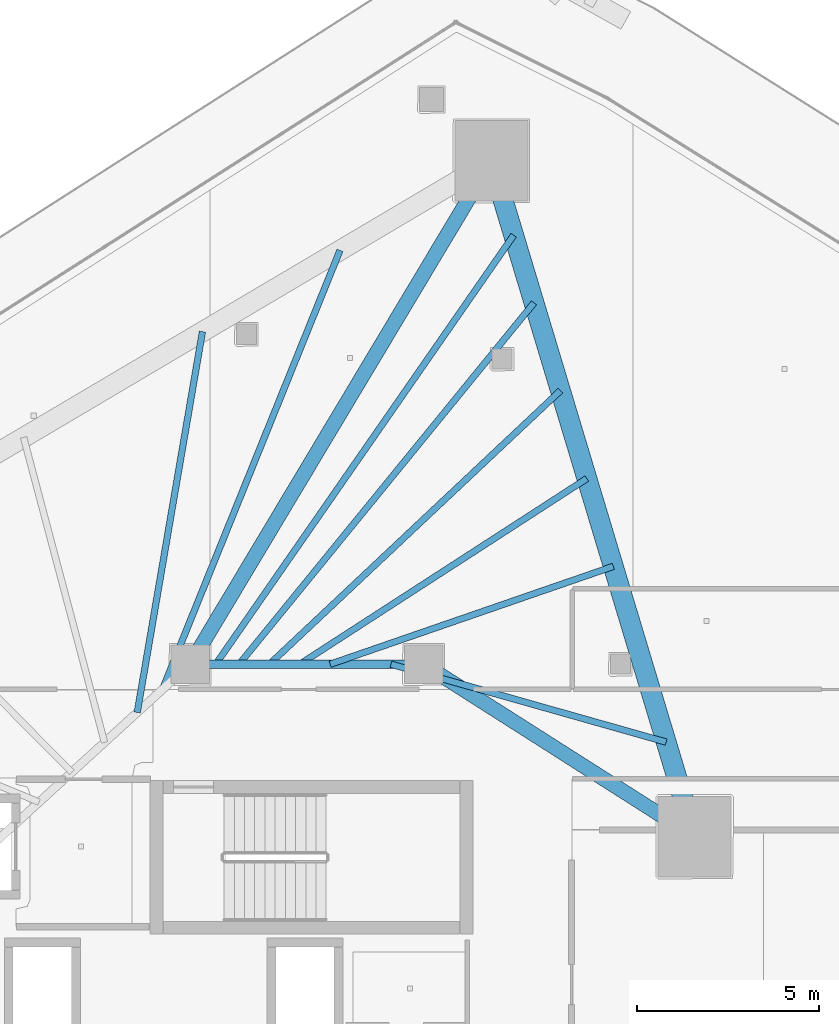
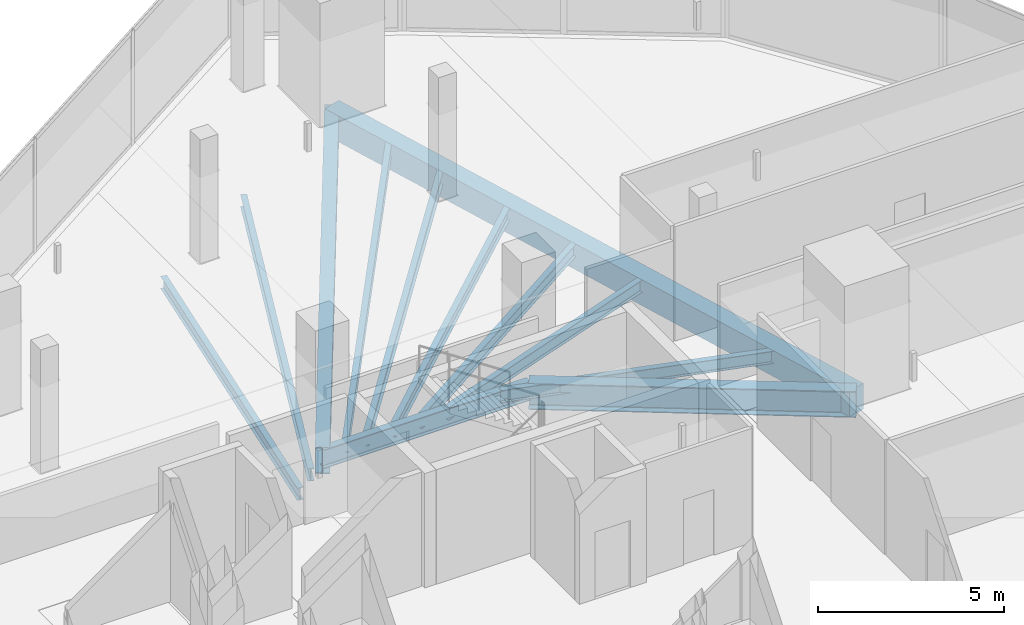
# One storey, part 18 of 36: 12 beams.
"""IFC4 building model written with IfcOpenShell, lengths in metres."""

from ifc_helpers import new_model, si_unit, direction, frame, origin, origin_2d, place, context, subcontext, project, spatial, rectangle, i_section, extrude, material, material_profile, profile_set, type_object, element, save


model = new_model("IFC4")

# Units and contexts
model_context = context("Model", 3, precision=1e-05, world=origin(), true_north=direction((0.0, 1.0)))
body_context = subcontext(model_context, "Body", "Model", "MODEL_VIEW")
ifc_project = project(units=[si_unit("LENGTHUNIT", "METRE"), si_unit("AREAUNIT", "SQUARE_METRE"), si_unit("VOLUMEUNIT", "CUBIC_METRE"), si_unit("PLANEANGLEUNIT", "RADIAN"), si_unit("MASSUNIT", "GRAM", prefix="KILO")], contexts=[model_context])

# Site, building, storey
site_placement = place(None, origin())
site = spatial("IfcSite", under=ifc_project, at=site_placement, CompositionType="ELEMENT")
building_placement = place(site_placement, origin())
building = spatial("IfcBuilding", under=site, at=building_placement, Name="Qorvath Tower", CompositionType="ELEMENT")
storey_placement = place(building_placement, frame((0.0, 0.0, 170.550048828125)))
storey = spatial("IfcBuildingStorey", under=building, at=storey_placement, Name="L39", CompositionType="ELEMENT", Elevation=170.550048828125)

# Beams
ifc_material_1 = material(Name="Steel ASTM A992 Grade 50", Category="steel")
ifc_material_profile_1 = material_profile(ifc_material_1, i_section(OverallWidth=0.39892578125, OverallDepth=0.85498046875, WebThickness=0.018310546875, FlangeThickness=0.029296875, FilletRadius=0.02001953125, at=origin_2d()), Name="W33x201")
ifc_profile_set_1 = profile_set([ifc_material_profile_1], Name="Steel ASTM A992 Grade 50")
beam_type_1 = type_object("IfcBeamType", Name="BM-FG2", PredefinedType="BEAM", material=ifc_profile_set_1)
beam_1_placement = place(storey_placement, frame((-23.60009765625, 11.449951171875, -0.697509765625), z_axis=(0.513497213955, 0.85809126045, 0.0), x_axis=(-0.85809126045, 0.513497213955, 0.0)))
element("IfcBeam", 1, at=beam_1_placement, inside=storey, type_object=beam_type_1, Name="Radial Floor Girder CC1-MC6 L39", PredefinedType="BEAM", context=body_context, shape_type="SweptSolid", body=[
    extrude(i_section(OverallWidth=0.39892578125, OverallDepth=0.85498046875, WebThickness=0.018310546875, FlangeThickness=0.029296875, FilletRadius=0.02001953125, at=origin_2d()), origin(), (0.0, 0.0, 1.0), 16.07763671875),
])
beam_2_placement = place(storey_placement, frame((-17.199951171875, 11.449951171875, -0.697509765625), z_axis=(0.843634090834, -0.536918542037, 0.0), x_axis=(0.536918542037, 0.843634090834, 0.0)))
element("IfcBeam", 2, at=beam_2_placement, inside=storey, type_object=beam_type_1, Name="Radial Floor Girder CC2-MC5 L39", PredefinedType="BEAM", context=body_context, shape_type="SweptSolid", body=[
    extrude(i_section(OverallWidth=0.39892578125, OverallDepth=0.85498046875, WebThickness=0.018310546875, FlangeThickness=0.029296875, FilletRadius=0.02001953125, at=origin_2d()), origin(), (0.0, 0.0, 1.0), 8.806884765625),
])
ifc_material_2 = material(Name="Steel ASTM A992 Grade 50", Category="steel")
ifc_material_profile_2 = material_profile(ifc_material_2, i_section(OverallWidth=0.22998046875, OverallDepth=0.616943359375, WebThickness=0.01318359375, FlangeThickness=0.022216796875, FilletRadius=0.014892578125, at=origin_2d()), Name="W24x94")
ifc_profile_set_2 = profile_set([ifc_material_profile_2], Name="Steel ASTM A992 Grade 50")
beam_type_2 = type_object("IfcBeamType", Name="BM-FG6", PredefinedType="BEAM", material=ifc_profile_set_2)
beam_3_placement = place(storey_placement, frame((-23.60009765625, 11.449951171875, -0.57861328125), z_axis=(1.0, 0.0, 0.0), x_axis=(0.0, 1.0, 0.0)))
element("IfcBeam", 3, at=beam_3_placement, inside=storey, type_object=beam_type_2, Name="Core Ring Girder CC1-CC2 L39", PredefinedType="BEAM", context=body_context, shape_type="SweptSolid", body=[
    extrude(i_section(OverallWidth=0.22998046875, OverallDepth=0.616943359375, WebThickness=0.01318359375, FlangeThickness=0.022216796875, FilletRadius=0.014892578125, at=origin_2d()), origin(), (0.0, 0.0, 1.0), 6.400146484375),
])
ifc_material_3 = material(Name="Steel ASTM A992 Grade 50", Category="steel")
ifc_material_profile_3 = material_profile(ifc_material_3, i_section(OverallWidth=0.177978515625, OverallDepth=0.406005859375, WebThickness=0.0078125, FlangeThickness=0.0126953125, FilletRadius=0.010986328125, at=origin_2d()), Name="W16x40")
ifc_profile_set_3 = profile_set([ifc_material_profile_3], Name="Steel ASTM A992 Grade 50")
beam_type_3 = type_object("IfcBeamType", Name="BM-FJ3", PredefinedType="JOIST", material=ifc_profile_set_3)
beam_4_placement = place(storey_placement, frame((-18.095947265625, 11.449951171875, -0.47314453125), z_axis=(0.962222206221, -0.272265359264, 0.0), x_axis=(0.272265359264, 0.962222206221, 0.0)))
element("IfcBeam", 4, at=beam_4_placement, inside=storey, type_object=beam_type_3, Name="Composite Floor Joist NE1 L39", PredefinedType="JOIST", context=body_context, shape_type="SweptSolid", body=[
    extrude(i_section(OverallWidth=0.177978515625, OverallDepth=0.406005859375, WebThickness=0.0078125, FlangeThickness=0.0126953125, FilletRadius=0.010986328125, at=origin_2d()), origin(), (0.0, 0.0, 1.0), 7.841552734375),
])
beam_5_placement = place(storey_placement, frame((-19.760009765625, 11.449951171875, -0.47314453125), z_axis=(0.945168345309, 0.326583525342, 0.0), x_axis=(-0.326583525342, 0.945168345309, 0.0)))
element("IfcBeam", 5, at=beam_5_placement, inside=storey, type_object=beam_type_3, Name="Composite Floor Joist NE3 L39", PredefinedType="JOIST", context=body_context, shape_type="SweptSolid", body=[
    extrude(i_section(OverallWidth=0.177978515625, OverallDepth=0.406005859375, WebThickness=0.0078125, FlangeThickness=0.0126953125, FilletRadius=0.010986328125, at=origin_2d()), origin(), (0.0, 0.0, 1.0), 8.21044921875),
])
beam_6_placement = place(storey_placement, frame((-20.592041015625, 11.449951171875, -0.47314453125), z_axis=(0.839630966809, 0.543157288062, 0.0), x_axis=(-0.543157288062, 0.839630966809, 0.0)))
element("IfcBeam", 6, at=beam_6_placement, inside=storey, type_object=beam_type_3, Name="Composite Floor Joist NE4 L39", PredefinedType="JOIST", context=body_context, shape_type="SweptSolid", body=[
    extrude(i_section(OverallWidth=0.177978515625, OverallDepth=0.406005859375, WebThickness=0.0078125, FlangeThickness=0.0126953125, FilletRadius=0.010986328125, at=origin_2d()), origin(), (0.0, 0.0, 1.0), 9.370361328125),
])
beam_7_placement = place(storey_placement, frame((-21.424072265625, 11.449951171875, -0.47314453125), z_axis=(0.728572459091, 0.684968737866, 0.0), x_axis=(-0.684968737866, 0.728572459091, 0.0)))
element("IfcBeam", 7, at=beam_7_placement, inside=storey, type_object=beam_type_3, Name="Composite Floor Joist NE5 L39", PredefinedType="JOIST", context=body_context, shape_type="SweptSolid", body=[
    extrude(i_section(OverallWidth=0.177978515625, OverallDepth=0.406005859375, WebThickness=0.0078125, FlangeThickness=0.0126953125, FilletRadius=0.010986328125, at=origin_2d()), origin(), (0.0, 0.0, 1.0), 10.9462890625),
])
beam_8_placement = place(storey_placement, frame((-22.256103515625, 11.449951171875, -0.47314453125), z_axis=(0.632187975212, 0.774815051478, 0.0), x_axis=(-0.774815051478, 0.632187975212, 0.0)))
element("IfcBeam", 8, at=beam_8_placement, inside=storey, type_object=beam_type_3, Name="Composite Floor Joist NE6 L39", PredefinedType="JOIST", context=body_context, shape_type="SweptSolid", body=[
    extrude(i_section(OverallWidth=0.177978515625, OverallDepth=0.406005859375, WebThickness=0.0078125, FlangeThickness=0.0126953125, FilletRadius=0.010986328125, at=origin_2d()), origin(), (0.0, 0.0, 1.0), 12.784912109375),
])
beam_9_placement = place(storey_placement, frame((-22.89599609375, 11.449951171875, -0.47314453125), z_axis=(0.570366725248, 0.821390162304, 0.0), x_axis=(-0.821390162304, 0.570366725248, 0.0)))
element("IfcBeam", 9, at=beam_9_placement, inside=storey, type_object=beam_type_3, Name="Composite Floor Joist NE7 L39", PredefinedType="JOIST", context=body_context, shape_type="SweptSolid", body=[
    extrude(i_section(OverallWidth=0.177978515625, OverallDepth=0.406005859375, WebThickness=0.0078125, FlangeThickness=0.0126953125, FilletRadius=0.010986328125, at=origin_2d()), origin(), (0.0, 0.0, 1.0), 14.3154296875),
])
beam_10_placement = place(storey_placement, frame((-25.049072265625, 10.126953125, -0.47314453125), z_axis=(0.168745594245, 0.985659639238, 0.0), x_axis=(-0.985659639238, 0.168745594245, 0.0)))
element("IfcBeam", 10, at=beam_10_placement, inside=storey, type_object=beam_type_3, Name="Composite Floor Joist NW6 L39", PredefinedType="JOIST", context=body_context, shape_type="SweptSolid", body=[
    extrude(i_section(OverallWidth=0.177978515625, OverallDepth=0.406005859375, WebThickness=0.0078125, FlangeThickness=0.0126953125, FilletRadius=0.010986328125, at=origin_2d()), origin(), (0.0, 0.0, 1.0), 10.589111328125),
])
beam_11_placement = place(storey_placement, frame((-24.35888671875, 10.757080078125, -0.47314453125), z_axis=(0.37487652097, 0.927074751045, 0.0), x_axis=(-0.927074751045, 0.37487652097, 0.0)))
element("IfcBeam", 11, at=beam_11_placement, inside=storey, type_object=beam_type_3, Name="Composite Floor Joist NW7 L39", PredefinedType="JOIST", context=body_context, shape_type="SweptSolid", body=[
    extrude(i_section(OverallWidth=0.177978515625, OverallDepth=0.406005859375, WebThickness=0.0078125, FlangeThickness=0.0126953125, FilletRadius=0.010986328125, at=origin_2d()), origin(), (0.0, 0.0, 1.0), 12.9833984375),
])
ifc_material_4 = material(Name="Concrete C50/60", Category="concrete")
ifc_material_profile_4 = material_profile(ifc_material_4, rectangle(XDim=0.550048828125, YDim=0.85009765625, at=origin_2d()), Name="RCB 850x550")
ifc_profile_set_4 = profile_set([ifc_material_profile_4], Name="Concrete C50/60")
beam_type_4 = type_object("IfcBeamType", Name="BM-RCB2", PredefinedType="SPANDREL", material=ifc_profile_set_4)
beam_12_placement = place(storey_placement, frame((-9.770263671875, 6.721435546875, -0.695068359375), z_axis=(-0.288133952099, 0.957590113591, 0.0), x_axis=(-0.957590113591, -0.288133952099, 0.0)))
element("IfcBeam", 12, at=beam_12_placement, inside=storey, type_object=beam_type_4, Name="Perimeter Loggia Frame Beam MC5-MC6 L39", PredefinedType="SPANDREL", context=body_context, shape_type="SweptSolid", body=[
    extrude(rectangle(XDim=0.550048828125, YDim=0.85009765625, at=origin_2d()), origin(), (0.0, 0.0, 1.0), 19.344970703125),
])

save(model, "model.ifc")
